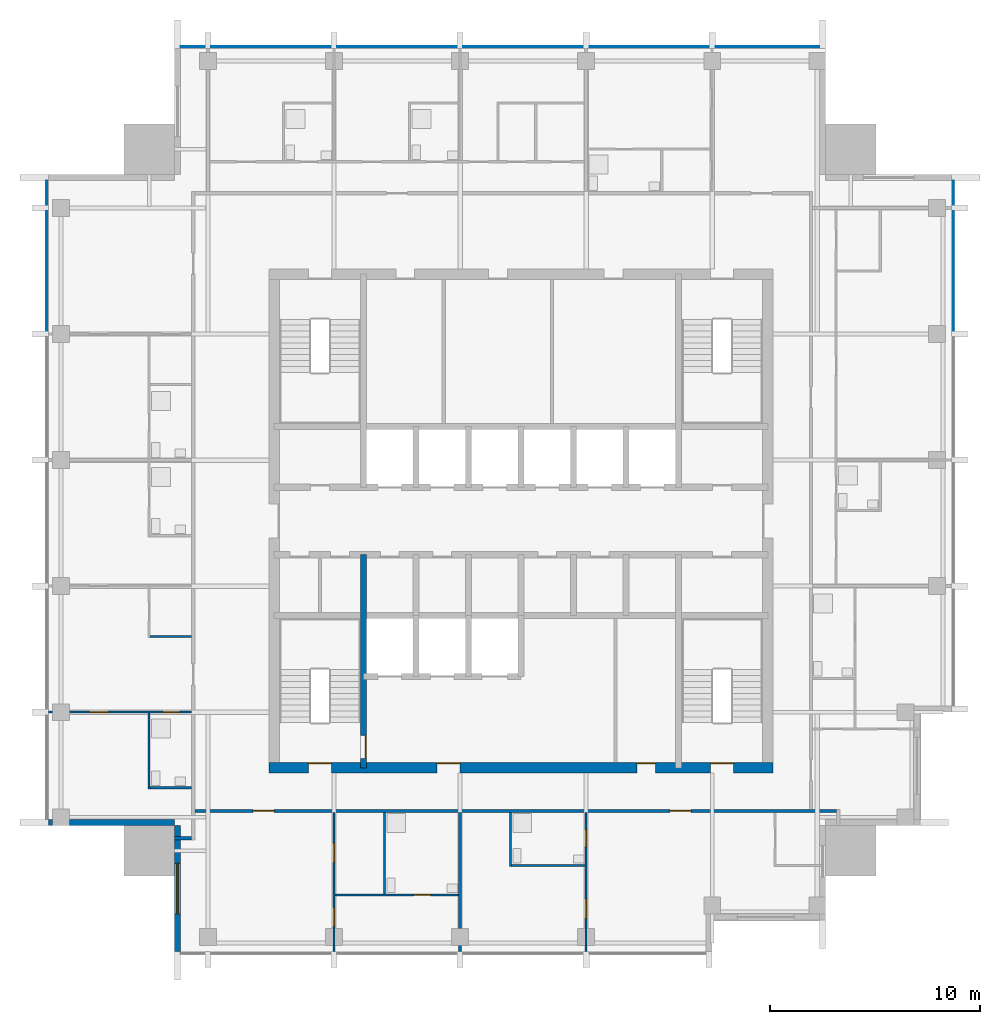
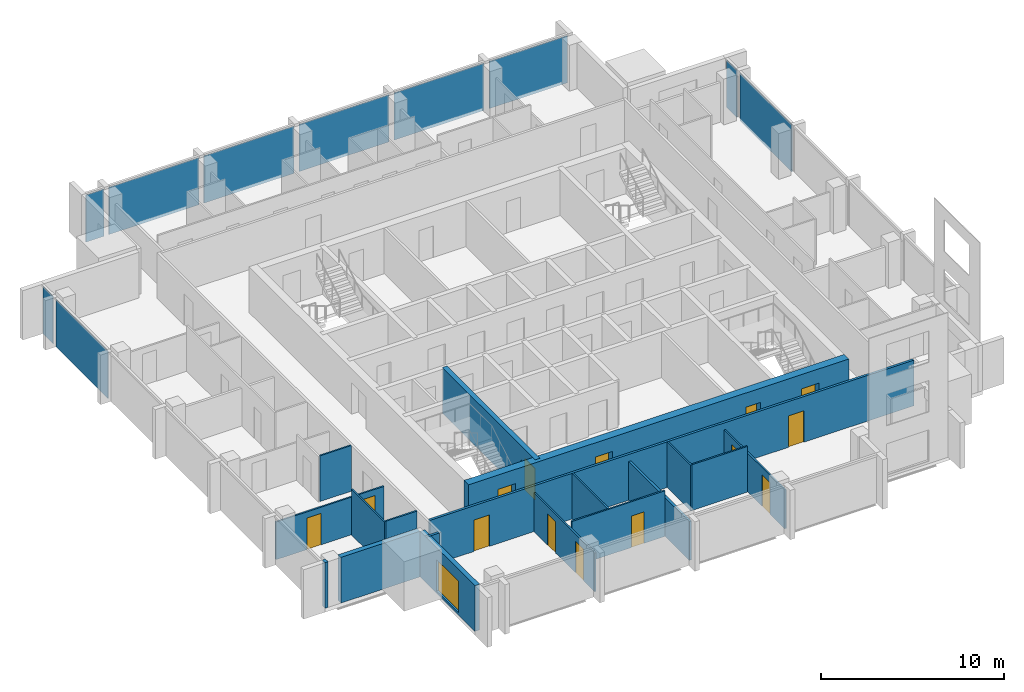
# One storey, part 3 of 9: 18 walls, 14 doors, 10 plates, 1 window, 15 openings, 3 elements without a shape of their own.
"""IFC4 building model written with IfcOpenShell, lengths in metres."""

from ifc_helpers import new_model, si_unit, direction, frame, frame_2d, origin, origin_2d, place, context, subcontext, project, spatial, rectangle, extrude, material, layer, layer_set, type_object, element, fill, aggregate, save


model = new_model("IFC4")

# Units and contexts
model_context = context("Model", 3, precision=1e-05, world=origin(), true_north=direction((0.0, 1.0)))
body_context = subcontext(model_context, "Body", "Model", "MODEL_VIEW")
ifc_project = project(units=[si_unit("LENGTHUNIT", "METRE"), si_unit("AREAUNIT", "SQUARE_METRE"), si_unit("VOLUMEUNIT", "CUBIC_METRE"), si_unit("PLANEANGLEUNIT", "RADIAN"), si_unit("MASSUNIT", "GRAM", prefix="KILO")], contexts=[model_context])

# Site, building, storey
site_placement = place(None, origin())
site = spatial("IfcSite", under=ifc_project, at=site_placement, CompositionType="ELEMENT")
building_placement = place(site_placement, origin())
building = spatial("IfcBuilding", under=site, at=building_placement, Name="Amberfall Residences", CompositionType="ELEMENT")
storey_placement = place(building_placement, frame((0.0, 0.0, 248.800048828125)))
storey = spatial("IfcBuildingStorey", under=building, at=storey_placement, Name="L66", CompositionType="ELEMENT", Elevation=248.800048828125)

# Curtain wall, plates
ifc_material_1 = material(Name="Bronze anodised aluminium and glass", Category="aluminium")
curtain_wall_type = type_object("IfcCurtainWallType", Name="Curtain wall CW1 tower unit", PredefinedType="USERDEFINED", material=ifc_material_1)
curtain_wall_1_placement = place(storey_placement, origin())
curtain_wall_1 = element("IfcCurtainWall", 1, at=curtain_wall_1_placement, inside=storey, type_object=curtain_wall_type, Name="Curtain wall L66 E E3", ObjectType="UNITISED CURTAIN WALL", PredefinedType="USERDEFINED")
ifc_material_2 = material(Name="Tinted double glazed unit", Category="glass")
ifc_layer_1 = layer(ifc_material_2, 0.035888671875)
ifc_layer_set_1 = layer_set([ifc_layer_1], Name="CW1 panel 36 glazing")
plate_type = type_object("IfcPlateType", Name="CW1 panel 36 glazing", PredefinedType="CURTAIN_PANEL", material=ifc_layer_set_1)
plate_1_placement = place(storey_placement, frame((95.074951171875, 57.39990234375, -0.25), z_axis=(0.0, 0.0, 1.0), x_axis=(0.0, 1.0, 0.0)))
plate_1 = element("IfcPlate", 2, at=plate_1_placement, type_object=plate_type, Name="CW1 panel 4.1", PredefinedType="CURTAIN_PANEL", context=body_context, shape_type="SweptSolid", body=[
    extrude(rectangle(XDim=5.676025390625, YDim=0.035888671875, at=origin_2d()), origin(), (0.0, 0.0, 1.0), 3.14990234375),
])
plate_2_placement = place(storey_placement, frame((95.074951171875, 61.125, -0.25), z_axis=(0.0, 0.0, 1.0), x_axis=(0.0, 1.0, 0.0)))
plate_2 = element("IfcPlate", 3, at=plate_2_placement, type_object=plate_type, Name="CW1 panel 5.1", PredefinedType="CURTAIN_PANEL", context=body_context, shape_type="SweptSolid", body=[
    extrude(rectangle(XDim=1.1259765625, YDim=0.035888671875, at=origin_2d()), origin(), (0.0, 0.0, 1.0), 3.14990234375),
])
aggregate(curtain_wall_1, [plate_1, plate_2])

curtain_wall_2_placement = place(storey_placement, origin())
curtain_wall_2 = element("IfcCurtainWall", 4, at=curtain_wall_2_placement, inside=storey, type_object=curtain_wall_type, Name="Curtain wall L66 N N1", ObjectType="UNITISED CURTAIN WALL", PredefinedType="USERDEFINED")
plate_3_placement = place(storey_placement, frame((86.22509765625, 68.074951171875, -0.25), z_axis=(0.0, 0.0, 1.0), x_axis=(-1.0, 0.0, 0.0)))
plate_3 = element("IfcPlate", 5, at=plate_3_placement, type_object=plate_type, Name="CW1 panel 1.1", PredefinedType="CURTAIN_PANEL", context=body_context, shape_type="SweptSolid", body=[
    extrude(rectangle(XDim=4.926025390625, YDim=0.035888671875, at=origin_2d()), origin(), (0.0, 0.0, 1.0), 3.14990234375),
])
plate_4_placement = place(storey_placement, frame((80.60009765625, 68.074951171875, -0.25), z_axis=(0.0, 0.0, 1.0), x_axis=(-1.0, 0.0, 0.0)))
plate_4 = element("IfcPlate", 6, at=plate_4_placement, type_object=plate_type, Name="CW1 panel 2.1", PredefinedType="CURTAIN_PANEL", context=body_context, shape_type="SweptSolid", body=[
    extrude(rectangle(XDim=5.676025390625, YDim=0.035888671875, at=origin_2d()), origin(), (0.0, 0.0, 1.0), 3.14990234375),
])
plate_5_placement = place(storey_placement, frame((74.60009765625, 68.074951171875, -0.25), z_axis=(0.0, 0.0, 1.0), x_axis=(-1.0, 0.0, 0.0)))
plate_5 = element("IfcPlate", 7, at=plate_5_placement, type_object=plate_type, Name="CW1 panel 3.1", PredefinedType="CURTAIN_PANEL", context=body_context, shape_type="SweptSolid", body=[
    extrude(rectangle(XDim=5.676025390625, YDim=0.035888671875, at=origin_2d()), origin(), (0.0, 0.0, 1.0), 3.14990234375),
])
plate_6_placement = place(storey_placement, frame((68.60009765625, 68.074951171875, -0.25), z_axis=(0.0, 0.0, 1.0), x_axis=(-1.0, 0.0, 0.0)))
plate_6 = element("IfcPlate", 8, at=plate_6_placement, type_object=plate_type, Name="CW1 panel 4.1", PredefinedType="CURTAIN_PANEL", context=body_context, shape_type="SweptSolid", body=[
    extrude(rectangle(XDim=5.676025390625, YDim=0.035888671875, at=origin_2d()), origin(), (0.0, 0.0, 1.0), 3.14990234375),
])
plate_7_placement = place(storey_placement, frame((62.60009765625, 68.074951171875, -0.25), z_axis=(0.0, 0.0, 1.0), x_axis=(-1.0, 0.0, 0.0)))
plate_7 = element("IfcPlate", 9, at=plate_7_placement, type_object=plate_type, Name="CW1 panel 5.1", PredefinedType="CURTAIN_PANEL", context=body_context, shape_type="SweptSolid", body=[
    extrude(rectangle(XDim=5.676025390625, YDim=0.035888671875, at=origin_2d()), origin(), (0.0, 0.0, 1.0), 3.14990234375),
])
plate_8_placement = place(storey_placement, frame((58.875, 68.074951171875, -0.25), z_axis=(0.0, 0.0, 1.0), x_axis=(-1.0, 0.0, 0.0)))
plate_8 = element("IfcPlate", 10, at=plate_8_placement, type_object=plate_type, Name="CW1 panel 6.1", PredefinedType="CURTAIN_PANEL", context=body_context, shape_type="SweptSolid", body=[
    extrude(rectangle(XDim=1.1259765625, YDim=0.035888671875, at=origin_2d()), origin(), (0.0, 0.0, 1.0), 3.14990234375),
])
aggregate(curtain_wall_2, [plate_3, plate_4, plate_5, plate_6, plate_7, plate_8])

curtain_wall_3_placement = place(storey_placement, origin())
curtain_wall_3 = element("IfcCurtainWall", 11, at=curtain_wall_3_placement, inside=storey, type_object=curtain_wall_type, Name="Curtain wall L66 W W1", ObjectType="UNITISED CURTAIN WALL", PredefinedType="USERDEFINED")
plate_9_placement = place(storey_placement, frame((51.925048828125, 61.125, -0.25), z_axis=(0.0, 0.0, 1.0), x_axis=(0.0, -1.0, 0.0)))
plate_9 = element("IfcPlate", 12, at=plate_9_placement, type_object=plate_type, Name="CW1 panel 1.1", PredefinedType="CURTAIN_PANEL", context=body_context, shape_type="SweptSolid", body=[
    extrude(rectangle(XDim=1.1259765625, YDim=0.035888671875, at=origin_2d()), origin(), (0.0, 0.0, 1.0), 3.14990234375),
])
plate_10_placement = place(storey_placement, frame((51.925048828125, 57.39990234375, -0.25), z_axis=(0.0, 0.0, 1.0), x_axis=(0.0, -1.0, 0.0)))
plate_10 = element("IfcPlate", 13, at=plate_10_placement, type_object=plate_type, Name="CW1 panel 2.1", PredefinedType="CURTAIN_PANEL", context=body_context, shape_type="SweptSolid", body=[
    extrude(rectangle(XDim=5.676025390625, YDim=0.035888671875, at=origin_2d()), origin(), (0.0, 0.0, 1.0), 3.14990234375),
])
aggregate(curtain_wall_3, [plate_9, plate_10])

# Walls
ifc_material_3 = material(Name="Pale stone cladding on insulated backing", Category="masonry")
ifc_layer_2 = layer(ifc_material_3, 0.300048828125)
ifc_layer_set_2 = layer_set([ifc_layer_2], Name="Bronze clad wall 300")
wall_type_1 = type_object("IfcWallType", Name="Bronze clad wall 300", PredefinedType="SOLIDWALL", material=ifc_layer_set_2)
wall_1_placement = place(storey_placement, frame((52.0, 31.14990234375, 0.0), z_axis=(0.0, 0.0, 1.0), x_axis=(1.0, 0.0, 0.0)))
element("IfcWall", 14, at=wall_1_placement, inside=storey, type_object=wall_type_1, Name="External wall L66 SW", PredefinedType="SOLIDWALL", context=body_context, shape_type="SweptSolid", body=[
    extrude(rectangle(XDim=0.199951171875, YDim=0.300048828125, at=frame_2d((0.10009765625, 0.0))), origin(), (0.0, 0.0, 1.0), 3.050048828125),
])
wall_2_placement = place(storey_placement, frame((53.0, 31.14990234375, 0.0), z_axis=(0.0, 0.0, 1.0), x_axis=(1.0, 0.0, 0.0)))
element("IfcWall", 15, at=wall_2_placement, inside=storey, type_object=wall_type_1, Name="External wall L66 SW", PredefinedType="SOLIDWALL", context=body_context, shape_type="SweptSolid", body=[
    extrude(rectangle(XDim=5.0, YDim=0.300048828125, at=frame_2d((2.5, 0.0))), origin(), (0.0, 0.0, 1.0), 3.050048828125),
])

# Wall, opening, window
wall_3_placement = place(storey_placement, frame((58.14990234375, 31.0, 0.0), z_axis=(0.0, 0.0, 1.0), x_axis=(0.0, -1.0, 0.0)))
wall_3 = element("IfcWall", 16, at=wall_3_placement, inside=storey, type_object=wall_type_1, Name="External wall L66 SW", PredefinedType="SOLIDWALL", context=body_context, shape_type="SweptSolid", body=[
    extrude(rectangle(XDim=6.0, YDim=0.300048828125, at=frame_2d((3.0, 0.0))), origin(), (0.0, 0.0, 1.0), 3.050048828125),
])
opening_1_placement = place(wall_3_placement, frame((1.800048828125, 0.0, 0.14990234375)))
opening_1 = element("IfcOpeningElement", 17, at=opening_1_placement, cuts=wall_3, Name="Opening WN5", PredefinedType="OPENING", context=body_context, shape_type="SweptSolid", body=[
    extrude(rectangle(XDim=2.39990234375, YDim=2.10009765625, at=frame_2d((1.199951171875, 1.050048828125))), frame((0.0, 0.159912109375, 0.0), z_axis=(0.0, -1.0, 0.0), x_axis=(1.0, 0.0, 0.0)), (0.0, 0.0, 1.0), 0.320068359375),
])
ifc_material_4 = material(Name="Bronze aluminium framed glazing", Category="aluminium")
window_type = type_object("IfcWindowType", Name="Glazed opening 2400 x 2100 bronze", PartitioningType="DOUBLE_PANEL_VERTICAL", PredefinedType="WINDOW", material=ifc_material_4)
window_placement = place(opening_1_placement, origin())
window = element("IfcWindow", 18, at=window_placement, inside=storey, type_object=window_type, Name="Window L66 SW", OverallHeight=2.10009765625, OverallWidth=2.39990234375, PartitioningType="DOUBLE_PANEL_VERTICAL", PredefinedType="WINDOW", context=body_context, shape_type="SweptSolid", body=[
    extrude(rectangle(XDim=2.39990234375, YDim=2.10009765625, at=frame_2d((1.199951171875, 1.050048828125))), frame((0.0, 0.030029296875, 0.0), z_axis=(0.0, -1.0, 0.0), x_axis=(1.0, 0.0, 0.0)), (0.0, 0.0, 1.0), 0.06005859375),
])
fill(opening_1, window)

# Wall, opening, door
ifc_material_5 = material(Name="Concrete C50", Category="concrete")
ifc_layer_3 = layer(ifc_material_5, 0.300048828125)
ifc_layer_set_3 = layer_set([ifc_layer_3], Name="Core wall 300 C50")
wall_type_2 = type_object("IfcWallType", Name="Core wall 300 C50", PredefinedType="SHEAR", material=ifc_layer_set_3)
wall_4_placement = place(storey_placement, frame((67.0, 33.75, 0.0), z_axis=(0.0, 0.0, 1.0), x_axis=(0.0, 1.0, 0.0)))
wall_4 = element("IfcWall", 19, at=wall_4_placement, inside=storey, type_object=wall_type_2, Name="Core wall RW10 L66 V45S", PredefinedType="SHEAR", context=body_context, shape_type="SweptSolid", body=[
    extrude(rectangle(XDim=10.14990234375, YDim=0.300048828125, at=frame_2d((5.074951171875, 0.0))), origin(), (0.0, 0.0, 1.0), 3.050048828125),
])
opening_2_placement = place(wall_4_placement, frame((0.449951171875, 0.0, 0.0)))
opening_2 = element("IfcOpeningElement", 20, at=opening_2_placement, cuts=wall_4, Name="Opening FL1", PredefinedType="OPENING", context=body_context, shape_type="SweptSolid", body=[
    extrude(rectangle(XDim=1.10009765625, YDim=2.10009765625, at=frame_2d((0.550048828125, 1.050048828125))), frame((0.0, 0.159912109375, 0.0), z_axis=(0.0, -1.0, 0.0), x_axis=(1.0, 0.0, 0.0)), (0.0, 0.0, 1.0), 0.320068359375),
])
ifc_material_6 = material(Name="Steel fire door set", Category="steel")
door_type_1 = type_object("IfcDoorType", Name="Firefighting lobby door 1100 x 2100", OperationType="SINGLE_SWING_LEFT", PredefinedType="DOOR", material=ifc_material_6)
door_1_placement = place(opening_2_placement, origin())
door_1 = element("IfcDoor", 21, at=door_1_placement, inside=storey, type_object=door_type_1, Name="FL1 L66", OperationType="SINGLE_SWING_RIGHT", OverallHeight=2.10009765625, OverallWidth=1.10009765625, PredefinedType="DOOR", context=body_context, shape_type="SweptSolid", body=[
    extrude(rectangle(XDim=1.10009765625, YDim=2.10009765625, at=frame_2d((0.550048828125, 1.050048828125))), frame((0.0, -0.08740234375, 0.0), z_axis=(0.0, -1.0, 0.0), x_axis=(1.0, 0.0, 0.0)), (0.0, 0.0, 1.0), 0.050048828125),
])
fill(opening_2, door_1)

# Wall, openings, doors
ifc_layer_4 = layer(ifc_material_5, 0.5)
ifc_layer_set_4 = layer_set([ifc_layer_4], Name="Core wall 500 C50")
wall_type_3 = type_object("IfcWallType", Name="Core wall 500 C50", PredefinedType="SHEAR", material=ifc_layer_set_4)
wall_5_placement = place(storey_placement, frame((62.5, 33.75, 0.0), z_axis=(0.0, 0.0, 1.0), x_axis=(1.0, 0.0, 0.0)))
wall_5 = element("IfcWall", 22, at=wall_5_placement, inside=storey, type_object=wall_type_3, Name="Core wall RW9 L66 OS", PredefinedType="SHEAR", context=body_context, shape_type="SweptSolid", body=[
    extrude(rectangle(XDim=24.0, YDim=0.5, at=frame_2d((12.0, 0.0))), origin(), (0.0, 0.0, 1.0), 3.050048828125),
])
opening_3_placement = place(wall_5_placement, frame((1.875, 0.0, 0.0)))
opening_3 = element("IfcOpeningElement", 23, at=opening_3_placement, cuts=wall_5, Name="Opening SD1", PredefinedType="OPENING", context=body_context, shape_type="SweptSolid", body=[
    extrude(rectangle(XDim=1.10009765625, YDim=2.10009765625, at=frame_2d((0.550048828125, 1.050048828125))), frame((0.0, 0.260009765625, 0.0), z_axis=(0.0, -1.0, 0.0), x_axis=(1.0, 0.0, 0.0)), (0.0, 0.0, 1.0), 0.52001953125),
])
opening_4_placement = place(wall_5_placement, frame((21.02490234375, 0.0, 0.0)))
opening_4 = element("IfcOpeningElement", 24, at=opening_4_placement, cuts=wall_5, Name="Opening SD1", PredefinedType="OPENING", context=body_context, shape_type="SweptSolid", body=[
    extrude(rectangle(XDim=1.10009765625, YDim=2.10009765625, at=frame_2d((0.550048828125, 1.050048828125))), frame((0.0, 0.260009765625, 0.0), z_axis=(0.0, -1.0, 0.0), x_axis=(1.0, 0.0, 0.0)), (0.0, 0.0, 1.0), 0.52001953125),
])
opening_5_placement = place(wall_5_placement, frame((8.0, 0.0, 0.0)))
opening_5 = element("IfcOpeningElement", 25, at=opening_5_placement, cuts=wall_5, Name="Opening FL1", PredefinedType="OPENING", context=body_context, shape_type="SweptSolid", body=[
    extrude(rectangle(XDim=1.10009765625, YDim=2.10009765625, at=frame_2d((0.550048828125, 1.050048828125))), frame((0.0, 0.260009765625, 0.0), z_axis=(0.0, -1.0, 0.0), x_axis=(1.0, 0.0, 0.0)), (0.0, 0.0, 1.0), 0.52001953125),
])
opening_6_placement = place(wall_5_placement, frame((17.512451171875, 0.0, 0.0)))
opening_6 = element("IfcOpeningElement", 26, at=opening_6_placement, cuts=wall_5, Name="Opening RD1", PredefinedType="OPENING", context=body_context, shape_type="SweptSolid", body=[
    extrude(rectangle(XDim=0.89990234375, YDim=2.10009765625, at=frame_2d((0.449951171875, 1.050048828125))), frame((0.0, 0.260009765625, 0.0), z_axis=(0.0, -1.0, 0.0), x_axis=(1.0, 0.0, 0.0)), (0.0, 0.0, 1.0), 0.52001953125),
])
door_2_placement = place(opening_5_placement, origin())
door_2 = element("IfcDoor", 27, at=door_2_placement, inside=storey, type_object=door_type_1, Name="FL1 L66", OperationType="SINGLE_SWING_LEFT", OverallHeight=2.10009765625, OverallWidth=1.10009765625, PredefinedType="DOOR", context=body_context, shape_type="SweptSolid", body=[
    extrude(rectangle(XDim=1.10009765625, YDim=2.10009765625, at=frame_2d((0.550048828125, 1.050048828125))), frame((0.0, 0.2373046875, 0.0), z_axis=(0.0, -1.0, 0.0), x_axis=(1.0, 0.0, 0.0)), (0.0, 0.0, 1.0), 0.050048828125),
])
fill(opening_5, door_2)
door_type_2 = type_object("IfcDoorType", Name="Service room door 900 x 2100", OperationType="SINGLE_SWING_LEFT", PredefinedType="DOOR", material=ifc_material_6)
door_3_placement = place(opening_6_placement, origin())
door_3 = element("IfcDoor", 28, at=door_3_placement, inside=storey, type_object=door_type_2, Name="RD1 L66", OperationType="SINGLE_SWING_LEFT", OverallHeight=2.10009765625, OverallWidth=0.89990234375, PredefinedType="DOOR", context=body_context, shape_type="SweptSolid", body=[
    extrude(rectangle(XDim=0.89990234375, YDim=2.10009765625, at=frame_2d((0.449951171875, 1.050048828125))), frame((0.0, 0.2373046875, 0.0), z_axis=(0.0, -1.0, 0.0), x_axis=(1.0, 0.0, 0.0)), (0.0, 0.0, 1.0), 0.050048828125),
])
fill(opening_6, door_3)
door_type_3 = type_object("IfcDoorType", Name="Stair door 1100 x 2100", OperationType="SINGLE_SWING_LEFT", PredefinedType="DOOR", material=ifc_material_6)
door_4_placement = place(opening_3_placement, origin())
door_4 = element("IfcDoor", 29, at=door_4_placement, inside=storey, type_object=door_type_3, Name="SD1 L66", OperationType="SINGLE_SWING_LEFT", OverallHeight=2.10009765625, OverallWidth=1.10009765625, PredefinedType="DOOR", context=body_context, shape_type="SweptSolid", body=[
    extrude(rectangle(XDim=1.10009765625, YDim=2.10009765625, at=frame_2d((0.550048828125, 1.050048828125))), frame((0.0, 0.2373046875, 0.0), z_axis=(0.0, -1.0, 0.0), x_axis=(1.0, 0.0, 0.0)), (0.0, 0.0, 1.0), 0.050048828125),
])
fill(opening_3, door_4)
door_5_placement = place(opening_4_placement, origin())
door_5 = element("IfcDoor", 30, at=door_5_placement, inside=storey, type_object=door_type_3, Name="SD1 L66", OperationType="SINGLE_SWING_RIGHT", OverallHeight=2.10009765625, OverallWidth=1.10009765625, PredefinedType="DOOR", context=body_context, shape_type="SweptSolid", body=[
    extrude(rectangle(XDim=1.10009765625, YDim=2.10009765625, at=frame_2d((0.550048828125, 1.050048828125))), frame((0.0, 0.2373046875, 0.0), z_axis=(0.0, -1.0, 0.0), x_axis=(1.0, 0.0, 0.0)), (0.0, 0.0, 1.0), 0.050048828125),
])
fill(opening_4, door_5)

# Wall
ifc_material_7 = material(Name="Gypsum board on metal stud")
ifc_layer_5 = layer(ifc_material_7, 0.10009765625)
ifc_layer_set_5 = layer_set([ifc_layer_5], Name="Flat partition 100")
wall_type_4 = type_object("IfcWallType", Name="Flat partition 100", PredefinedType="PARTITIONING", material=ifc_layer_set_5)
wall_6_placement = place(storey_placement, frame((56.800048828125, 32.75, 0.0), z_axis=(0.0, 0.0, 1.0), x_axis=(0.0, 1.0, 0.0)))
element("IfcWall", 31, at=wall_6_placement, inside=storey, type_object=wall_type_4, Name="Partition 001", PredefinedType="PARTITIONING", context=body_context, shape_type="SweptSolid", body=[
    extrude(rectangle(XDim=3.60009765625, YDim=0.10009765625, at=frame_2d((1.800048828125, 0.0))), origin(), (0.0, 0.0, 1.0), 3.050048828125),
])

# Wall, openings, doors
wall_7_placement = place(storey_placement, frame((65.60009765625, 31.625, 0.0), z_axis=(0.0, 0.0, 1.0), x_axis=(0.0, -1.0, 0.0)))
wall_7 = element("IfcWall", 32, at=wall_7_placement, inside=storey, type_object=wall_type_4, Name="Partition 005", PredefinedType="PARTITIONING", context=body_context, shape_type="SweptSolid", body=[
    extrude(rectangle(XDim=6.625, YDim=0.10009765625, at=frame_2d((3.3125, 0.0))), origin(), (0.0, 0.0, 1.0), 2.58984375),
])
opening_7_placement = place(wall_7_placement, frame((1.47509765625, 0.0, 0.0)))
opening_7 = element("IfcOpeningElement", 33, at=opening_7_placement, cuts=wall_7, Name="Opening D41", PredefinedType="OPENING", context=body_context, shape_type="SweptSolid", body=[
    extrude(rectangle(XDim=0.89990234375, YDim=2.10009765625, at=frame_2d((0.449951171875, 1.050048828125))), frame((0.0, 0.06005859375, 0.0), z_axis=(0.0, -1.0, 0.0), x_axis=(1.0, 0.0, 0.0)), (0.0, 0.0, 1.0), 0.1201171875),
])
opening_8_placement = place(wall_7_placement, frame((4.52490234375, 0.0, 0.0)))
opening_8 = element("IfcOpeningElement", 34, at=opening_8_placement, cuts=wall_7, Name="Opening D41", PredefinedType="OPENING", context=body_context, shape_type="SweptSolid", body=[
    extrude(rectangle(XDim=0.89990234375, YDim=2.10009765625, at=frame_2d((0.449951171875, 1.050048828125))), frame((0.0, 0.06005859375, 0.0), z_axis=(0.0, -1.0, 0.0), x_axis=(1.0, 0.0, 0.0)), (0.0, 0.0, 1.0), 0.1201171875),
])
ifc_material_8 = material(Name="Timber", Category="wood")
door_type_4 = type_object("IfcDoorType", Name="Internal door 900 x 2100", OperationType="SINGLE_SWING_LEFT", PredefinedType="DOOR", material=ifc_material_8)
door_6_placement = place(opening_7_placement, origin())
door_6 = element("IfcDoor", 35, at=door_6_placement, inside=storey, type_object=door_type_4, Name="Door 6601 kitchen", OperationType="SINGLE_SWING_LEFT", OverallHeight=2.10009765625, OverallWidth=0.89990234375, PredefinedType="DOOR", context=body_context, shape_type="SweptSolid", body=[
    extrude(rectangle(XDim=0.89990234375, YDim=2.10009765625, at=frame_2d((0.449951171875, 1.050048828125))), frame((0.0, 0.02490234375, 0.0), z_axis=(0.0, -1.0, 0.0), x_axis=(1.0, 0.0, 0.0)), (0.0, 0.0, 1.0), 0.050048828125),
])
fill(opening_7, door_6)
door_7_placement = place(opening_8_placement, origin())
door_7 = element("IfcDoor", 36, at=door_7_placement, inside=storey, type_object=door_type_4, Name="Door 6601 bedroom1", OperationType="SINGLE_SWING_LEFT", OverallHeight=2.10009765625, OverallWidth=0.89990234375, PredefinedType="DOOR", context=body_context, shape_type="SweptSolid", body=[
    extrude(rectangle(XDim=0.89990234375, YDim=2.10009765625, at=frame_2d((0.449951171875, 1.050048828125))), frame((0.0, 0.02490234375, 0.0), z_axis=(0.0, -1.0, 0.0), x_axis=(1.0, 0.0, 0.0)), (0.0, 0.0, 1.0), 0.050048828125),
])
fill(opening_8, door_7)

# Walls
wall_8_placement = place(storey_placement, frame((68.0, 27.75, 0.0), z_axis=(0.0, 0.0, 1.0), x_axis=(0.0, 1.0, 0.0)))
element("IfcWall", 37, at=wall_8_placement, inside=storey, type_object=wall_type_4, Name="Partition 007", PredefinedType="PARTITIONING", context=body_context, shape_type="SweptSolid", body=[
    extrude(rectangle(XDim=3.875, YDim=0.10009765625, at=frame_2d((1.9375, 0.0))), origin(), (0.0, 0.0, 1.0), 3.050048828125),
])
wall_9_placement = place(storey_placement, frame((74.0, 29.050048828125, 0.0), z_axis=(0.0, 0.0, 1.0), x_axis=(0.0, 1.0, 0.0)))
element("IfcWall", 38, at=wall_9_placement, inside=storey, type_object=wall_type_4, Name="Partition 011", PredefinedType="PARTITIONING", context=body_context, shape_type="SweptSolid", body=[
    extrude(rectangle(XDim=2.574951171875, YDim=0.10009765625, at=frame_2d((1.28759765625, 0.0))), origin(), (0.0, 0.0, 1.0), 3.050048828125),
])

# Wall, openings, doors
wall_10_placement = place(storey_placement, frame((77.60009765625, 25.0, 0.0), z_axis=(0.0, 0.0, 1.0), x_axis=(0.0, 1.0, 0.0)))
wall_10 = element("IfcWall", 39, at=wall_10_placement, inside=storey, type_object=wall_type_4, Name="Partition 013", PredefinedType="PARTITIONING", context=body_context, shape_type="SweptSolid", body=[
    extrude(rectangle(XDim=6.625, YDim=0.10009765625, at=frame_2d((3.3125, 0.0))), origin(), (0.0, 0.0, 1.0), 2.58984375),
])
opening_9_placement = place(wall_10_placement, frame((1.60009765625, 0.0, 0.0)))
opening_9 = element("IfcOpeningElement", 40, at=opening_9_placement, cuts=wall_10, Name="Opening D41", PredefinedType="OPENING", context=body_context, shape_type="SweptSolid", body=[
    extrude(rectangle(XDim=0.89990234375, YDim=2.10009765625, at=frame_2d((0.449951171875, 1.050048828125))), frame((0.0, 0.06005859375, 0.0), z_axis=(0.0, -1.0, 0.0), x_axis=(1.0, 0.0, 0.0)), (0.0, 0.0, 1.0), 0.1201171875),
])
opening_10_placement = place(wall_10_placement, frame((5.0, 0.0, 0.0)))
opening_10 = element("IfcOpeningElement", 41, at=opening_10_placement, cuts=wall_10, Name="Opening D42", PredefinedType="OPENING", context=body_context, shape_type="SweptSolid", body=[
    extrude(rectangle(XDim=0.800048828125, YDim=2.10009765625, at=frame_2d((0.39990234375, 1.050048828125))), frame((0.0, 0.06005859375, 0.0), z_axis=(0.0, -1.0, 0.0), x_axis=(1.0, 0.0, 0.0)), (0.0, 0.0, 1.0), 0.1201171875),
])
door_type_5 = type_object("IfcDoorType", Name="Bathroom door 800 x 2100", OperationType="SINGLE_SWING_LEFT", PredefinedType="DOOR", material=ifc_material_8)
door_8_placement = place(opening_10_placement, origin())
door_8 = element("IfcDoor", 42, at=door_8_placement, inside=storey, type_object=door_type_5, Name="Door 6602 bath1", OperationType="SINGLE_SWING_LEFT", OverallHeight=2.10009765625, OverallWidth=0.800048828125, PredefinedType="DOOR", context=body_context, shape_type="SweptSolid", body=[
    extrude(rectangle(XDim=0.800048828125, YDim=2.10009765625, at=frame_2d((0.39990234375, 1.050048828125))), frame((0.0, 0.02490234375, 0.0), z_axis=(0.0, -1.0, 0.0), x_axis=(1.0, 0.0, 0.0)), (0.0, 0.0, 1.0), 0.050048828125),
])
fill(opening_10, door_8)
door_9_placement = place(opening_9_placement, origin())
door_9 = element("IfcDoor", 43, at=door_9_placement, inside=storey, type_object=door_type_4, Name="Door 6602 bedroom1", OperationType="SINGLE_SWING_LEFT", OverallHeight=2.10009765625, OverallWidth=0.89990234375, PredefinedType="DOOR", context=body_context, shape_type="SweptSolid", body=[
    extrude(rectangle(XDim=0.89990234375, YDim=2.10009765625, at=frame_2d((0.449951171875, 1.050048828125))), frame((0.0, 0.02490234375, 0.0), z_axis=(0.0, -1.0, 0.0), x_axis=(1.0, 0.0, 0.0)), (0.0, 0.0, 1.0), 0.050048828125),
])
fill(opening_9, door_9)

# Wall
wall_11_placement = place(storey_placement, frame((56.85009765625, 40.0, 0.0), z_axis=(0.0, 0.0, 1.0), x_axis=(1.0, 0.0, 0.0)))
element("IfcWall", 44, at=wall_11_placement, inside=storey, type_object=wall_type_4, Name="Partition 033", PredefinedType="PARTITIONING", context=body_context, shape_type="SweptSolid", body=[
    extrude(rectangle(XDim=1.974853515625, YDim=0.10009765625, at=frame_2d((0.9873046875, 0.0))), origin(), (0.0, 0.0, 1.0), 3.050048828125),
])

# Wall, openings, doors
wall_12_placement = place(storey_placement, frame((58.824951171875, 36.39990234375, 0.0), z_axis=(0.0, 0.0, 1.0), x_axis=(-1.0, 0.0, 0.0)))
wall_12 = element("IfcWall", 45, at=wall_12_placement, inside=storey, type_object=wall_type_4, Name="Partition 035", PredefinedType="PARTITIONING", context=body_context, shape_type="SweptSolid", body=[
    extrude(rectangle(XDim=6.824951171875, YDim=0.10009765625, at=frame_2d((3.41259765625, 0.0))), origin(), (0.0, 0.0, 1.0), 2.515869140625),
])
opening_11_placement = place(wall_12_placement, frame((3.97509765625, 0.0, 0.0)))
opening_11 = element("IfcOpeningElement", 46, at=opening_11_placement, cuts=wall_12, Name="Opening D41", PredefinedType="OPENING", context=body_context, shape_type="SweptSolid", body=[
    extrude(rectangle(XDim=0.89990234375, YDim=2.10009765625, at=frame_2d((0.449951171875, 1.050048828125))), frame((0.0, 0.06005859375, 0.0), z_axis=(0.0, -1.0, 0.0), x_axis=(1.0, 0.0, 0.0)), (0.0, 0.0, 1.0), 0.1201171875),
])
opening_12_placement = place(wall_12_placement, frame((0.574951171875, 0.0, 0.0)))
opening_12 = element("IfcOpeningElement", 47, at=opening_12_placement, cuts=wall_12, Name="Opening D42", PredefinedType="OPENING", context=body_context, shape_type="SweptSolid", body=[
    extrude(rectangle(XDim=0.800048828125, YDim=2.10009765625, at=frame_2d((0.39990234375, 1.050048828125))), frame((0.0, 0.06005859375, 0.0), z_axis=(0.0, -1.0, 0.0), x_axis=(1.0, 0.0, 0.0)), (0.0, 0.0, 1.0), 0.1201171875),
])
door_10_placement = place(opening_12_placement, origin())
door_10 = element("IfcDoor", 48, at=door_10_placement, inside=storey, type_object=door_type_5, Name="Door 6607 bath1", OperationType="SINGLE_SWING_LEFT", OverallHeight=2.10009765625, OverallWidth=0.800048828125, PredefinedType="DOOR", context=body_context, shape_type="SweptSolid", body=[
    extrude(rectangle(XDim=0.800048828125, YDim=2.10009765625, at=frame_2d((0.39990234375, 1.050048828125))), frame((0.0, 0.02490234375, 0.0), z_axis=(0.0, -1.0, 0.0), x_axis=(1.0, 0.0, 0.0)), (0.0, 0.0, 1.0), 0.050048828125),
])
fill(opening_12, door_10)
door_11_placement = place(opening_11_placement, origin())
door_11 = element("IfcDoor", 49, at=door_11_placement, inside=storey, type_object=door_type_4, Name="Door 6607 bedroom1", OperationType="SINGLE_SWING_LEFT", OverallHeight=2.10009765625, OverallWidth=0.89990234375, PredefinedType="DOOR", context=body_context, shape_type="SweptSolid", body=[
    extrude(rectangle(XDim=0.89990234375, YDim=2.10009765625, at=frame_2d((0.449951171875, 1.050048828125))), frame((0.0, 0.02490234375, 0.0), z_axis=(0.0, -1.0, 0.0), x_axis=(1.0, 0.0, 0.0)), (0.0, 0.0, 1.0), 0.050048828125),
])
fill(opening_11, door_11)

# Walls
wall_13_placement = place(storey_placement, frame((56.85009765625, 32.800048828125, 0.0), z_axis=(0.0, 0.0, 1.0), x_axis=(1.0, 0.0, 0.0)))
element("IfcWall", 50, at=wall_13_placement, inside=storey, type_object=wall_type_4, Name="Partition 037", PredefinedType="PARTITIONING", context=body_context, shape_type="SweptSolid", body=[
    extrude(rectangle(XDim=1.974853515625, YDim=0.10009765625, at=frame_2d((0.9873046875, 0.0))), origin(), (0.0, 0.0, 1.0), 3.050048828125),
])
wall_14_placement = place(storey_placement, frame((74.050048828125, 29.10009765625, 0.0), z_axis=(0.0, 0.0, 1.0), x_axis=(1.0, 0.0, 0.0)))
element("IfcWall", 51, at=wall_14_placement, inside=storey, type_object=wall_type_4, Name="Partition 038", PredefinedType="PARTITIONING", context=body_context, shape_type="SweptSolid", body=[
    extrude(rectangle(XDim=3.5, YDim=0.10009765625, at=frame_2d((1.75, 0.0))), origin(), (0.0, 0.0, 1.0), 3.050048828125),
])

# Wall, opening, door
wall_15_placement = place(storey_placement, frame((65.64990234375, 27.699951171875, 0.0), z_axis=(0.0, 0.0, 1.0), x_axis=(1.0, 0.0, 0.0)))
wall_15 = element("IfcWall", 52, at=wall_15_placement, inside=storey, type_object=wall_type_4, Name="Partition 040", PredefinedType="PARTITIONING", context=body_context, shape_type="SweptSolid", body=[
    extrude(rectangle(XDim=5.875, YDim=0.10009765625, at=frame_2d((2.9375, 0.0))), origin(), (0.0, 0.0, 1.0), 3.050048828125),
])
opening_13_placement = place(wall_15_placement, frame((3.75, 0.0, 0.0)))
opening_13 = element("IfcOpeningElement", 53, at=opening_13_placement, cuts=wall_15, Name="Opening D42", PredefinedType="OPENING", context=body_context, shape_type="SweptSolid", body=[
    extrude(rectangle(XDim=0.800048828125, YDim=2.10009765625, at=frame_2d((0.39990234375, 1.050048828125))), frame((0.0, 0.06005859375, 0.0), z_axis=(0.0, -1.0, 0.0), x_axis=(1.0, 0.0, 0.0)), (0.0, 0.0, 1.0), 0.1201171875),
])
door_12_placement = place(opening_13_placement, origin())
door_12 = element("IfcDoor", 54, at=door_12_placement, inside=storey, type_object=door_type_5, Name="Door 6601 bath1", OperationType="SINGLE_SWING_LEFT", OverallHeight=2.10009765625, OverallWidth=0.800048828125, PredefinedType="DOOR", context=body_context, shape_type="SweptSolid", body=[
    extrude(rectangle(XDim=0.800048828125, YDim=2.10009765625, at=frame_2d((0.39990234375, 1.050048828125))), frame((0.0, 0.02490234375, 0.0), z_axis=(0.0, -1.0, 0.0), x_axis=(1.0, 0.0, 0.0)), (0.0, 0.0, 1.0), 0.050048828125),
])
fill(opening_13, door_12)

# Wall
ifc_material_9 = material(Name="Blockwork, plastered", Category="masonry")
ifc_layer_6 = layer(ifc_material_9, 0.14990234375)
ifc_layer_set_6 = layer_set([ifc_layer_6], Name="Flat separating wall 150")
wall_type_5 = type_object("IfcWallType", Name="Flat separating wall 150", PredefinedType="PARTITIONING", material=ifc_layer_set_6)
wall_16_placement = place(storey_placement, frame((71.60009765625, 25.0, 0.0), z_axis=(0.0, 0.0, 1.0), x_axis=(0.0, 1.0, 0.0)))
element("IfcWall", 55, at=wall_16_placement, inside=storey, type_object=wall_type_5, Name="Separating wall 043", PredefinedType="PARTITIONING", context=body_context, shape_type="SweptSolid", body=[
    extrude(rectangle(XDim=6.625, YDim=0.14990234375, at=frame_2d((3.3125, 0.0))), origin(), (0.0, 0.0, 1.0), 2.58984375),
])

# Wall, openings, doors
wall_17_placement = place(storey_placement, frame((89.52490234375, 31.699951171875, 0.0), z_axis=(0.0, 0.0, 1.0), x_axis=(-1.0, 0.0, 0.0)))
wall_17 = element("IfcWall", 56, at=wall_17_placement, inside=storey, type_object=wall_type_5, Name="Separating wall 051", PredefinedType="PARTITIONING", context=body_context, shape_type="SweptSolid", body=[
    extrude(rectangle(XDim=30.5498046875, YDim=0.14990234375, at=frame_2d((15.27490234375, 0.0))), origin(), (0.0, 0.0, 1.0), 3.050048828125),
])
opening_14_placement = place(wall_17_placement, frame((26.77490234375, 0.0, 0.0)))
opening_14 = element("IfcOpeningElement", 57, at=opening_14_placement, cuts=wall_17, Name="Opening D40", PredefinedType="OPENING", context=body_context, shape_type="SweptSolid", body=[
    extrude(rectangle(XDim=1.0, YDim=2.10009765625, at=frame_2d((0.5, 1.050048828125))), frame((0.0, 0.0849609375, 0.0), z_axis=(0.0, -1.0, 0.0), x_axis=(1.0, 0.0, 0.0)), (0.0, 0.0, 1.0), 0.169921875),
])
opening_15_placement = place(wall_17_placement, frame((6.925048828125, 0.0, 0.0)))
opening_15 = element("IfcOpeningElement", 58, at=opening_15_placement, cuts=wall_17, Name="Opening D40", PredefinedType="OPENING", context=body_context, shape_type="SweptSolid", body=[
    extrude(rectangle(XDim=1.0, YDim=2.10009765625, at=frame_2d((0.5, 1.050048828125))), frame((0.0, 0.0849609375, 0.0), z_axis=(0.0, -1.0, 0.0), x_axis=(1.0, 0.0, 0.0)), (0.0, 0.0, 1.0), 0.169921875),
])
ifc_material_10 = material(Name="Timber, fire-rated", Category="wood")
door_type_6 = type_object("IfcDoorType", Name="Flat entrance door FD60 1000 x 2100", OperationType="SINGLE_SWING_LEFT", PredefinedType="DOOR", material=ifc_material_10)
door_13_placement = place(opening_14_placement, origin())
door_13 = element("IfcDoor", 59, at=door_13_placement, inside=storey, type_object=door_type_6, Name="Door 6601 entrance", OperationType="SINGLE_SWING_LEFT", OverallHeight=2.10009765625, OverallWidth=1.0, PredefinedType="DOOR", context=body_context, shape_type="SweptSolid", body=[
    extrude(rectangle(XDim=1.0, YDim=2.10009765625, at=frame_2d((0.5, 1.050048828125))), frame((0.0, 0.02490234375, 0.0), z_axis=(0.0, -1.0, 0.0), x_axis=(1.0, 0.0, 0.0)), (0.0, 0.0, 1.0), 0.050048828125),
])
fill(opening_14, door_13)
door_14_placement = place(opening_15_placement, origin())
door_14 = element("IfcDoor", 60, at=door_14_placement, inside=storey, type_object=door_type_6, Name="Door 6602 entrance", OperationType="SINGLE_SWING_LEFT", OverallHeight=2.10009765625, OverallWidth=1.0, PredefinedType="DOOR", context=body_context, shape_type="SweptSolid", body=[
    extrude(rectangle(XDim=1.0, YDim=2.10009765625, at=frame_2d((0.5, 1.050048828125))), frame((0.0, 0.02490234375, 0.0), z_axis=(0.0, -1.0, 0.0), x_axis=(1.0, 0.0, 0.0)), (0.0, 0.0, 1.0), 0.050048828125),
])
fill(opening_15, door_14)

# Wall
wall_18_placement = place(storey_placement, frame((58.0, 30.39990234375, 0.0), z_axis=(0.0, 0.0, 1.0), x_axis=(1.0, 0.0, 0.0)))
element("IfcWall", 61, at=wall_18_placement, inside=storey, type_object=wall_type_5, Name="Separating wall 052", PredefinedType="PARTITIONING", context=body_context, shape_type="SweptSolid", body=[
    extrude(rectangle(XDim=0.824951171875, YDim=0.14990234375, at=frame_2d((0.41259765625, 0.0))), origin(), (0.0, 0.0, 1.0), 3.050048828125),
])

save(model, "model.ifc")
